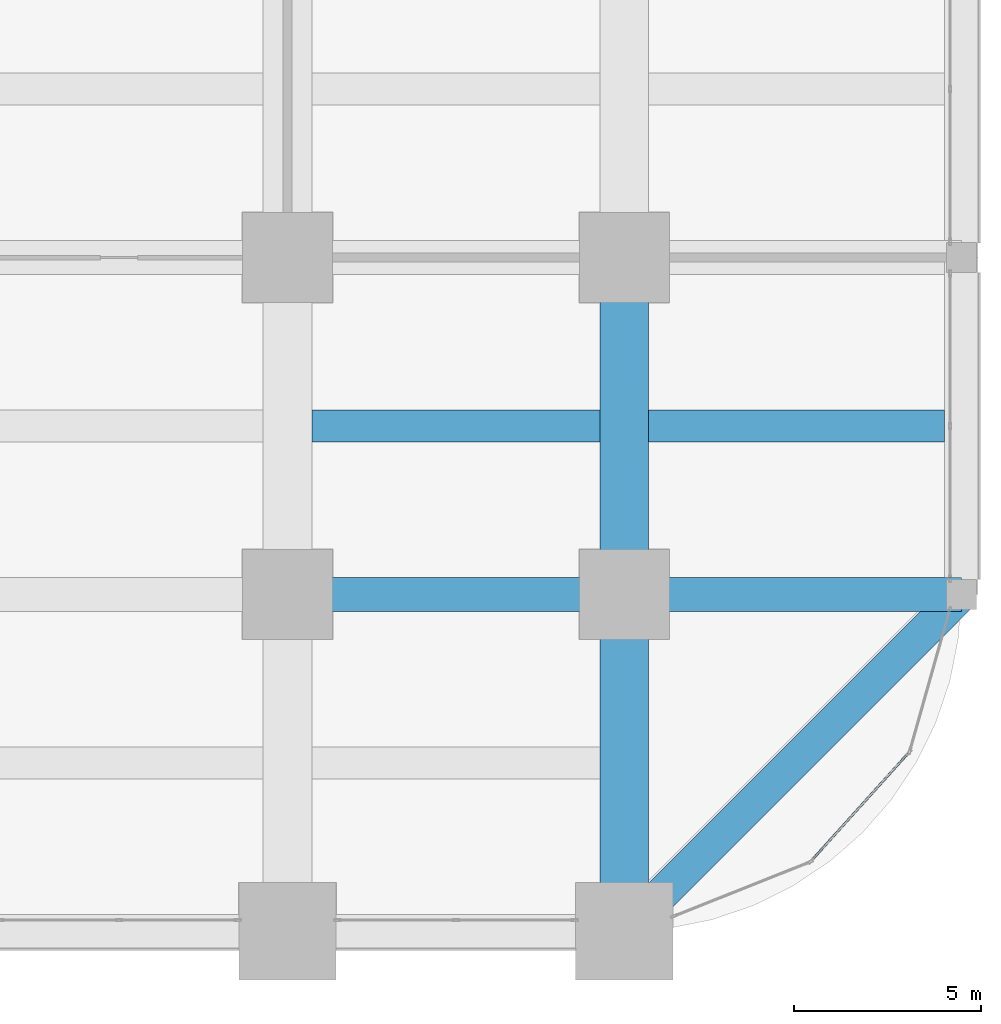
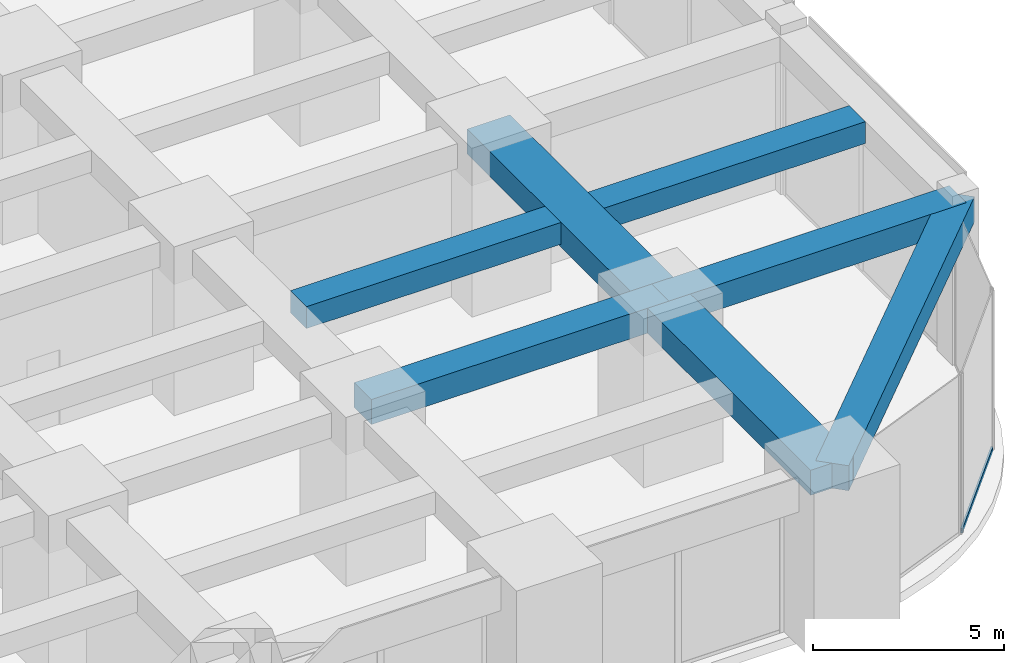
# One storey, part 31 of 45: 7 beams, 1 member, 1 element without a shape of its own.
"""IFC4 building model written with IfcOpenShell, lengths in metres."""

from ifc_helpers import new_model, si_unit, direction, frame, origin, origin_2d, place, context, subcontext, project, spatial, rectangle, hollow_rectangle, extrude, material, material_profile, profile_set, type_object, element, aggregate, save


model = new_model("IFC4")

# Units and contexts
model_context = context("Model", 3, precision=1e-05, world=origin(), true_north=direction((0.0, 1.0)))
body_context = subcontext(model_context, "Body", "Model", "MODEL_VIEW")
ifc_project = project(units=[si_unit("LENGTHUNIT", "METRE"), si_unit("AREAUNIT", "SQUARE_METRE"), si_unit("VOLUMEUNIT", "CUBIC_METRE"), si_unit("PLANEANGLEUNIT", "RADIAN"), si_unit("MASSUNIT", "GRAM", prefix="KILO")], contexts=[model_context])

# Site, building, storey
site_placement = place(None, origin())
site = spatial("IfcSite", under=ifc_project, at=site_placement, CompositionType="ELEMENT")
building_placement = place(site_placement, origin())
building = spatial("IfcBuilding", under=site, at=building_placement, Name="Zorevar Civic Tower", CompositionType="ELEMENT")
storey_placement = place(building_placement, frame((0.0, 0.0, 5.39990234375)))
storey = spatial("IfcBuildingStorey", under=building, at=storey_placement, Name="L01", CompositionType="ELEMENT", Elevation=5.39990234375)

# Beams
ifc_material_1 = material(Name="Concrete C50/60", Category="concrete")
ifc_material_profile_1 = material_profile(ifc_material_1, rectangle(XDim=1.300048828125, YDim=0.800048828125, at=origin_2d()), Name="RC 1300x800")
ifc_profile_set_1 = profile_set([ifc_material_profile_1], Name="Concrete C50/60")
beam_type_1 = type_object("IfcBeamType", Name="Beam RC 1300x800", PredefinedType="BEAM", material=ifc_profile_set_1)
for number, where, z_axis, x_axis, name in (
    (1, (63.0, 0.0, 4.7001953125), (0.0, 1.0, 0.0), (-1.0, 0.0, 0.0), "Girder L02"),
    (2, (63.0, 9.0, 4.7001953125), (0.0, 1.0, 0.0), (-1.0, 0.0, 0.0), "Girder L02"),
):
    element("IfcBeam", number, at=place(storey_placement, frame(where, z_axis=z_axis, x_axis=x_axis)), inside=storey, type_object=beam_type_1, Name=name, PredefinedType="BEAM", context=body_context, shape_type="SweptSolid", body=[
        extrude(rectangle(XDim=1.300048828125, YDim=0.800048828125, at=origin_2d()), origin(), (0.0, 0.0, 1.0), 9.0),
    ])
ifc_material_2 = material(Name="Concrete C50/60", Category="concrete")
ifc_material_profile_2 = material_profile(ifc_material_2, rectangle(XDim=0.85009765625, YDim=0.699951171875, at=origin_2d()), Name="RC 850x700")
ifc_profile_set_2 = profile_set([ifc_material_profile_2], Name="Concrete C50/60")
beam_type_2 = type_object("IfcBeamType", Name="Beam RC 850x700", PredefinedType="BEAM", material=ifc_profile_set_2)
beam_1_placement = place(storey_placement, frame((54.64990234375, 13.5, 4.75), z_axis=(1.0, 0.0, 0.0), x_axis=(0.0, 1.0, 0.0)))
element("IfcBeam", 3, at=beam_1_placement, inside=storey, type_object=beam_type_2, Name="Secondary beam L02", PredefinedType="BEAM", context=body_context, shape_type="SweptSolid", body=[
    extrude(rectangle(XDim=0.85009765625, YDim=0.699951171875, at=origin_2d()), origin(), (0.0, 0.0, 1.0), 7.7001953125),
])
beam_2_placement = place(storey_placement, frame((63.64990234375, 13.5, 4.75), z_axis=(1.0, 0.0, 0.0), x_axis=(0.0, 1.0, 0.0)))
element("IfcBeam", 4, at=beam_2_placement, inside=storey, type_object=beam_type_2, Name="Secondary beam L02", PredefinedType="BEAM", context=body_context, shape_type="SweptSolid", body=[
    extrude(rectangle(XDim=0.85009765625, YDim=0.699951171875, at=origin_2d()), origin(), (0.0, 0.0, 1.0), 7.900146484375),
])
ifc_material_3 = material(Name="Concrete C50/60", Category="concrete")
ifc_material_profile_3 = material_profile(ifc_material_3, rectangle(XDim=0.89990234375, YDim=0.800048828125, at=origin_2d()), Name="RC 900x800")
ifc_profile_set_3 = profile_set([ifc_material_profile_3], Name="Concrete C50/60")
beam_type_3 = type_object("IfcBeamType", Name="Beam RC 900x800", PredefinedType="BEAM", material=ifc_profile_set_3)
for number, where, z_axis, x_axis, name in (
    (5, (54.0, 9.0, 4.7001953125), (1.0, 0.0, 0.0), (0.0, 1.0, 0.0), "Girder L02"),
    (6, (63.0, 9.0, 4.7001953125), (1.0, 0.0, 0.0), (0.0, 1.0, 0.0), "Girder L02"),
):
    element("IfcBeam", number, at=place(storey_placement, frame(where, z_axis=z_axis, x_axis=x_axis)), inside=storey, type_object=beam_type_3, Name=name, PredefinedType="BEAM", context=body_context, shape_type="SweptSolid", body=[
        extrude(rectangle(XDim=0.89990234375, YDim=0.800048828125, at=origin_2d()), origin(), (0.0, 0.0, 1.0), 9.0),
    ])

# Curtain wall, member
ifc_material_4 = material(Name="Dark grey solar-control glass in black aluminium frame", Category="aluminium")
curtain_wall_type = type_object("IfcCurtainWallType", Name="Curtain wall CW1 podium", PredefinedType="NOTDEFINED", material=ifc_material_4)
curtain_wall_placement = place(storey_placement, origin())
curtain_wall = element("IfcCurtainWall", 7, at=curtain_wall_placement, inside=storey, type_object=curtain_wall_type, Name="CW1 L01", PredefinedType="NOTDEFINED")
ifc_material_5 = material(Name="Aluminium, black anodised", Category="aluminium")
ifc_material_profile_4 = material_profile(ifc_material_5, hollow_rectangle(XDim=0.06005859375, YDim=0.14990234375, WallThickness=0.00390625, at=origin_2d()), Name="AL 150x60x4")
ifc_profile_set_4 = profile_set([ifc_material_profile_4], Name="Aluminium, black anodised")
member_type = type_object("IfcMemberType", Name="CW1 transom AL 150x60x4", PredefinedType="USERDEFINED", material=ifc_profile_set_4)
member_placement = place(storey_placement, frame((68.01171875, 1.905029296875, 0.030029296875), z_axis=(0.669390521788, 0.742910714245, 0.0), x_axis=(-0.742910714245, 0.669390521788, 0.0)))
member = element("IfcMember", 8, at=member_placement, type_object=member_type, Name="CW1 sill transom", ObjectType="TRANSOM", PredefinedType="USERDEFINED", context=body_context, shape_type="SweptSolid", body=[
    extrude(hollow_rectangle(XDim=0.06005859375, YDim=0.14990234375, WallThickness=0.00390625, at=origin_2d()), origin(), (0.0, 0.0, 1.0), 3.83203125),
])
aggregate(curtain_wall, [member])

# Beam
ifc_material_6 = material(Name="Concrete C50/60", Category="concrete")
ifc_material_profile_5 = material_profile(ifc_material_6, rectangle(XDim=0.89990234375, YDim=0.800048828125, at=origin_2d()), Name="RC 900x800")
ifc_profile_set_5 = profile_set([ifc_material_profile_5], Name="Concrete C50/60")
beam_type_4 = type_object("IfcBeamType", Name="Edge beam RC 900x800", PredefinedType="SPANDREL", material=ifc_profile_set_5)
beam_3_placement = place(storey_placement, frame((63.0, 0.0, 4.7001953125), z_axis=(0.707106781187, 0.707106781187, 0.0), x_axis=(-0.707106781187, 0.707106781187, 0.0)))
element("IfcBeam", 9, at=beam_3_placement, inside=storey, type_object=beam_type_4, Name="Corner edge beam L02", PredefinedType="SPANDREL", context=body_context, shape_type="SweptSolid", body=[
    extrude(rectangle(XDim=0.89990234375, YDim=0.800048828125, at=origin_2d()), origin(), (0.0, 0.0, 1.0), 12.72802734375),
])

save(model, "model.ifc")
